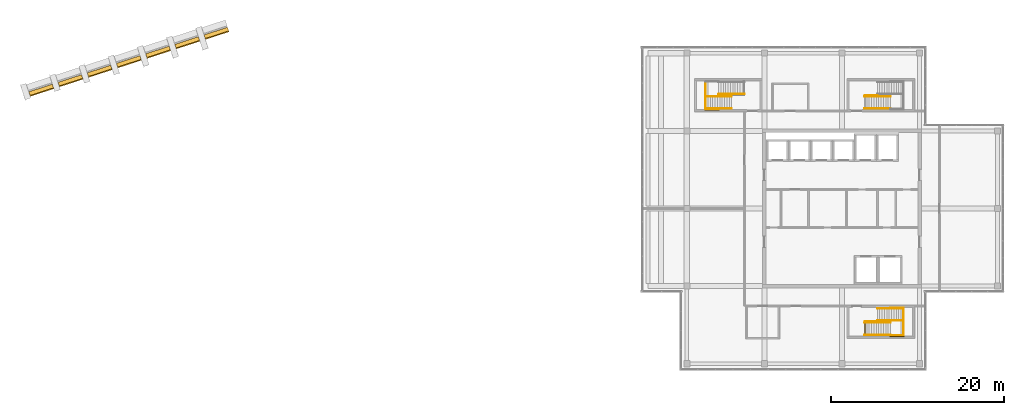
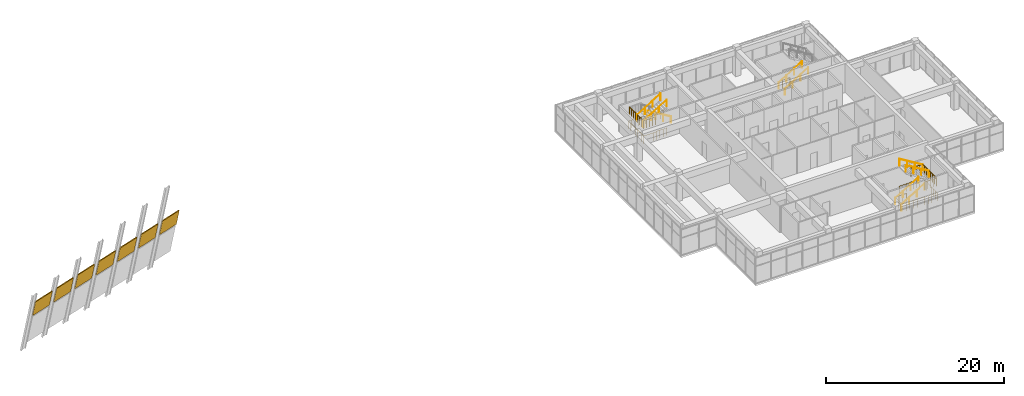
# One storey, part 31 of 32: 18 railings, 7 coverings.
"""IFC4 building model written with IfcOpenShell, lengths in metres."""

import ifcopenshell
import ifcopenshell.guid

model = None  # the IFC model being written
_history = None  # IfcOwnerHistory: only IFC2X3 demands one
_inside = {}  # id of a spatial element -> (the spatial element, [elements in it])
_under = {}  # id of a project, library or spatial element -> (it, [spatial elements below it])
_declared = {}  # id of a project -> (the project, [libraries it declares])
_typed = {}  # id of a type object -> (the type object, [elements of that type])
_made_of = {}  # id of a material, layer set ... -> (it, [elements and type objects made of it])


def new_model(schema):
    """Start an empty IFC model of exactly this schema.

    Asked for "IFC4X3", IfcOpenShell would pick the latest addendum, in which some entities
    have other attributes; the version numbers below select the first issue.
    IFC2X3 requires an IfcOwnerHistory on every rooted entity: one is made here for all.
    """
    global model, _history
    if schema == "IFC4X3":
        model = ifcopenshell.file(schema_version=(4, 3, 0, 0))
    else:
        model = ifcopenshell.file(schema=schema)
    _inside.clear()
    _under.clear()
    _declared.clear()
    _typed.clear()
    _made_of.clear()
    _history = None
    if model.schema == "IFC2X3":
        org = make("IfcOrganization", Name="unknown")
        user = make(
            "IfcPersonAndOrganization",
            ThePerson=make("IfcPerson", FamilyName="unknown"),
            TheOrganization=org,
        )
        app = make(
            "IfcApplication",
            ApplicationDeveloper=org,
            Version="unknown",
            ApplicationFullName="unknown",
            ApplicationIdentifier="unknown",
        )
        _history = make(
            "IfcOwnerHistory",
            OwningUser=user,
            OwningApplication=app,
            ChangeAction="ADDED",
            CreationDate=0,
        )
    return model


def make(cls, **values):
    """One entity of the class cls with the attributes given. An attribute that is None is left unset."""
    return model.create_entity(
        cls, **{name: value for name, value in values.items() if value is not None}
    )


def rooted(cls, **values):
    """An entity with a GlobalId (a new one), such as an element, a storey or a relation."""
    return make(cls, GlobalId=ifcopenshell.guid.new(), OwnerHistory=_history, **values)


def si_unit(unit_type, name, prefix=None):
    """IfcSIUnit, for example si_unit("LENGTHUNIT", "METRE", prefix="MILLI")."""
    return make("IfcSIUnit", UnitType=unit_type, Prefix=prefix, Name=name)


def assignment(units):
    """IfcUnitAssignment: the units of a project."""
    return None if units is None else make("IfcUnitAssignment", Units=units)


def point(xyz):
    """IfcCartesianPoint."""
    return None if xyz is None else make("IfcCartesianPoint", Coordinates=xyz)


def direction(xyz):
    """IfcDirection."""
    return None if xyz is None else make("IfcDirection", DirectionRatios=xyz)


def frame(location, z_axis=None, x_axis=None):
    """IfcAxis2Placement3D, a coordinate frame: its origin and axes. An axis left out is left unset."""
    return make(
        "IfcAxis2Placement3D",
        Location=point(location),
        Axis=direction(z_axis),
        RefDirection=direction(x_axis),
    )


def frame_2d(location, x_axis=None):
    """IfcAxis2Placement2D, a coordinate frame in the plane: its origin and x axis."""
    return make(
        "IfcAxis2Placement2D", Location=point(location), RefDirection=direction(x_axis)
    )


def origin():
    """The frame at (0, 0, 0) with its axes left unset."""
    return frame((0.0, 0.0, 0.0))


def origin_2d():
    """The frame at (0, 0) in the plane with its x axis left unset."""
    return frame_2d((0.0, 0.0))


def place(relative_to, where):
    """IfcLocalPlacement: puts the frame where relative to a parent placement (None: the world)."""
    return make(
        "IfcLocalPlacement", PlacementRelTo=relative_to, RelativePlacement=where
    )


def context(
    kind, dimensions, precision=None, world=None, true_north=None, identifier=None
):
    """IfcGeometricRepresentationContext, for example the 3D "Model" context."""
    return make(
        "IfcGeometricRepresentationContext",
        ContextIdentifier=identifier,
        ContextType=kind,
        CoordinateSpaceDimension=dimensions,
        Precision=precision,
        WorldCoordinateSystem=world,
        TrueNorth=true_north,
    )


def subcontext(parent, identifier, kind, view, scale=None):
    """IfcGeometricRepresentationSubContext, for example "Body" below "Model"."""
    return make(
        "IfcGeometricRepresentationSubContext",
        ContextIdentifier=identifier,
        ContextType=kind,
        ParentContext=parent,
        TargetScale=scale,
        TargetView=view,
    )


def project(units=None, contexts=None):
    """IfcProject with its units and contexts."""
    return rooted(
        "IfcProject",
        Name="project",
        RepresentationContexts=contexts,
        UnitsInContext=assignment(units),
    )


def spatial(cls, under=None, at=None, **own):
    """A site, building, storey or space (cls), placed at a placement, below another one or the project."""
    s = rooted(cls, ObjectPlacement=at, **own)
    if under is not None:
        _under.setdefault(under.id(), (under, []))[1].append(s)
    return s


def polyline(points):
    """IfcPolyline through the points."""
    return make("IfcPolyline", Points=[point(p) for p in points])


def profile(cls, at=None, kind="AREA", **sizes):
    """A parametric profile (cls). Its sizes go by their IFC names, for example OverallWidth=200.0."""
    return make(cls, ProfileType=kind, Position=at, **sizes)


def circle(**sizes):
    """IfcCircleProfileDef."""
    return profile("IfcCircleProfileDef", **sizes)


def outline(outer, holes=None, kind="AREA"):
    """IfcArbitraryClosedProfileDef: a profile drawn as a closed curve; with holes, ...WithVoids."""
    if holes is None:
        return make("IfcArbitraryClosedProfileDef", ProfileType=kind, OuterCurve=outer)
    return make(
        "IfcArbitraryProfileDefWithVoids",
        ProfileType=kind,
        OuterCurve=outer,
        InnerCurves=holes,
    )


def extrude(swept, where, along, depth):
    """IfcExtrudedAreaSolid: the profile swept, set in the frame where, extruded along a direction by depth."""
    return make(
        "IfcExtrudedAreaSolid",
        SweptArea=swept,
        Position=where,
        ExtrudedDirection=direction(along),
        Depth=depth,
    )


def shape(context_of_items, identifier, shape_type, items):
    """IfcShapeRepresentation: the items that make up one representation, for example the "Body"."""
    return make(
        "IfcShapeRepresentation",
        ContextOfItems=context_of_items,
        RepresentationIdentifier=identifier,
        RepresentationType=shape_type,
        Items=items,
    )


def material(Name=None, Category=None):
    """IfcMaterial."""
    return make("IfcMaterial", Name=Name, Category=Category)


def layer(
    of_material, thickness, ventilated=None, Name=None, Category=None, Priority=None
):
    """IfcMaterialLayer: one layer of a wall or slab, of a material (None: an air gap)."""
    return make(
        "IfcMaterialLayer",
        Material=of_material,
        LayerThickness=thickness,
        IsVentilated=ventilated,
        Name=Name,
        Category=Category,
        Priority=Priority,
    )


def layer_set(layers, Name=None):
    """IfcMaterialLayerSet."""
    return make("IfcMaterialLayerSet", MaterialLayers=layers, LayerSetName=Name)


def made_of(thing, what):
    """Note that an element or type object is made of a material, layer set ...; save() writes the relation."""
    if what is not None:
        _made_of.setdefault(what.id(), (what, []))[1].append(thing)
    return thing


def type_object(cls, material=None, **own):
    """A type object (cls), such as IfcWallType, which elements share."""
    return made_of(rooted(cls, **own), material)


def element(
    cls,
    number,
    at=None,
    inside=None,
    cuts=None,
    type_object=None,
    material=None,
    context=None,
    identifier="Body",
    shape_type=None,
    held_by="IfcProductDefinitionShape",
    body=None,
    shapes=None,
    **own,
):
    """One element of the class cls, such as IfcWall. Its Tag is "e" and its number.

    at: its placement. inside: the storey or other place that contains it. cuts: it is an
    opening in that element (IfcRelVoidsElement). A single representation is given by context,
    identifier, shape_type and body (its items); several are given by shapes. held_by: the class
    of the entity that holds the representations. save() writes the other relations.
    """
    e = rooted(cls, Tag="e%d" % number, ObjectPlacement=at, **own)
    if body is not None:
        shapes = [shape(context, identifier, shape_type, body)]
    if shapes is not None:
        e.Representation = make(held_by, Representations=shapes)
    if inside is not None:
        _inside.setdefault(inside.id(), (inside, []))[1].append(e)
    if cuts is not None:
        rooted(
            "IfcRelVoidsElement", RelatingBuildingElement=cuts, RelatedOpeningElement=e
        )
    if type_object is not None:
        _typed.setdefault(type_object.id(), (type_object, []))[1].append(e)
    return made_of(e, material)


def aggregate(whole, parts):
    """IfcRelAggregates: a whole, such as a stair, and the parts it consists of."""
    return rooted("IfcRelAggregates", RelatingObject=whole, RelatedObjects=parts)


def save(model, path):
    """Write the relations noted so far, then the file.

    IfcRelAggregates (storeys below a building ...), IfcRelContainedInSpatialStructure (elements
    in a storey), IfcRelDefinesByType, IfcRelAssociatesMaterial and IfcRelDeclares: one each for
    every whole, place, type object, material and project.
    """
    for whole, parts in _under.values():
        aggregate(whole, parts)
    for where, things in _inside.values():
        rooted(
            "IfcRelContainedInSpatialStructure",
            RelatedElements=things,
            RelatingStructure=where,
        )
    for kind, things in _typed.values():
        rooted("IfcRelDefinesByType", RelatedObjects=things, RelatingType=kind)
    for what, things in _made_of.values():
        rooted("IfcRelAssociatesMaterial", RelatedObjects=things, RelatingMaterial=what)
    for by, libraries in _declared.values():
        rooted("IfcRelDeclares", RelatingContext=by, RelatedDefinitions=libraries)
    model.write(path)


model = new_model("IFC4")

# Units and contexts
model_context = context("Model", 3, precision=1e-05, world=origin(), true_north=direction((0.0, 1.0)))
body_context = subcontext(model_context, "Body", "Model", "MODEL_VIEW")
ifc_project = project(units=[si_unit("LENGTHUNIT", "METRE"), si_unit("AREAUNIT", "SQUARE_METRE"), si_unit("VOLUMEUNIT", "CUBIC_METRE"), si_unit("PLANEANGLEUNIT", "RADIAN"), si_unit("MASSUNIT", "GRAM", prefix="KILO")], contexts=[model_context])

# Site, building, storey
site_placement = place(None, origin())
site = spatial("IfcSite", under=ifc_project, at=site_placement, CompositionType="ELEMENT")
building_placement = place(site_placement, origin())
building = spatial("IfcBuilding", under=site, at=building_placement, Name="Tuart Plaza Theatre", CompositionType="ELEMENT")
storey_placement = place(building_placement, frame((0.0, 0.0, 37.5)))
storey = spatial("IfcBuildingStorey", under=building, at=storey_placement, Name="L09", CompositionType="ELEMENT", Elevation=37.5)

# Coverings
ifc_material_1 = material(Name="Zinc")
ifc_layer = layer(ifc_material_1, 0.1201171875)
ifc_layer_set = layer_set([ifc_layer], Name="COVERING-ZINC-SIGN-PANEL120")
covering_type = type_object("IfcCoveringType", Name="COVERING-ZINC-SIGN-PANEL120", PredefinedType="CLADDING", material=ifc_layer_set)
covering_1_placement = place(storey_placement, frame((37.71728515625, 87.523681640625, 2.60791015625), z_axis=(-0.302260554201, 0.930276442668, 0.207904539611), x_axis=(0.95105843581, 0.309011086543, 8.251628e-06)))
element("IfcCovering", 1, at=covering_1_placement, inside=storey, type_object=covering_type, Name="Theatre Sign Panel", PredefinedType="CLADDING", context=body_context, shape_type="SweptSolid", body=[
    extrude(outline(polyline([(0.0, 0.0), (2.8611881030055724, 0.0), (2.8611941071663454, -2.1439924801278485), (-6.943799902742362e-05, -2.1440407545078246), (0.0, 0.0)])), origin(), (0.0, 0.0, -1.0), 0.1201171875),
])
covering_2_placement = place(storey_placement, frame((41.104248046875, 88.6240234375, 2.60791015625), z_axis=(-0.302285084932, 0.93026847206, 0.207904538956), x_axis=(0.951049203003, 0.309039501358, -8.252009e-06)))
element("IfcCovering", 2, at=covering_2_placement, inside=storey, type_object=covering_type, Name="Theatre Sign Panel", PredefinedType="CLADDING", context=body_context, shape_type="SweptSolid", body=[
    extrude(outline(polyline([(0.0, 0.0), (2.861031357760041, 2.7755575615628914e-17), (2.8609139876122804, -2.144040752419736), (-4.1921050749480445e-05, -2.14399247972647), (0.0, 0.0)])), origin(), (0.0, 0.0, -1.0), 0.1201171875),
])
covering_3_placement = place(storey_placement, frame((44.490966796875, 89.724609375, 2.60791015625), z_axis=(-0.302260554201, 0.930276442668, 0.207904539611), x_axis=(0.95105843581, 0.309011086543, 8.251628e-06)))
element("IfcCovering", 3, at=covering_3_placement, inside=storey, type_object=covering_type, Name="Theatre Sign Panel", PredefinedType="CLADDING", context=body_context, shape_type="SweptSolid", body=[
    extrude(outline(polyline([(0.0, 0.0), (2.8611881030055724, 0.0), (2.8611941071663454, -2.1439924801278485), (-6.943799902742362e-05, -2.1440407545078246), (0.0, 0.0)])), origin(), (0.0, 0.0, -1.0), 0.1201171875),
])
covering_4_placement = place(storey_placement, frame((47.877685546875, 90.824951171875, 2.60791015625), z_axis=(-0.302258342809, 0.9302696366, 0.207938205779), x_axis=(0.951058435986, 0.309011086003, 8.252904e-06)))
element("IfcCovering", 4, at=covering_4_placement, inside=storey, type_object=covering_type, Name="Theatre Sign Panel", PredefinedType="CLADDING", context=body_context, shape_type="SweptSolid", body=[
    extrude(outline(polyline([(0.0, 0.0), (2.861188103005605, 2.7755575615628914e-17), (2.8614263020960933, -2.1440081603823584), (0.00016275693081914755, -2.144056442579448), (0.0, 0.0)])), origin(), (0.0, 0.0, -1.0), 0.1201171875),
])
covering_5_placement = place(storey_placement, frame((51.2646484375, 91.92529296875, 2.60791015625), z_axis=(-0.302260554201, 0.930276442668, 0.207904539611), x_axis=(0.951057351885, 0.309014422572, -8.25141e-06)))
element("IfcCovering", 5, at=covering_5_placement, inside=storey, type_object=covering_type, Name="Theatre Sign Panel", PredefinedType="CLADDING", context=body_context, shape_type="SweptSolid", body=[
    extrude(outline(polyline([(0.0, 0.0), (2.8612635455726076, -2.7755575615628914e-17), (2.8611579339613313, -2.144040753031133), (-3.0168637015551432e-05, -2.143992479924001), (0.0, 0.0)])), origin(), (0.0, 0.0, -1.0), 0.1201171875),
])
covering_6_placement = place(storey_placement, frame((54.651611328125, 93.02587890625, 2.60791015625), z_axis=(-0.302285084932, 0.93026847206, 0.207904538956), x_axis=(0.951050287095, 0.309036165116, 8.252227e-06)))
element("IfcCovering", 6, at=covering_6_placement, inside=storey, type_object=covering_type, Name="Theatre Sign Panel", PredefinedType="CLADDING", context=body_context, shape_type="SweptSolid", body=[
    extrude(outline(polyline([(0.0, 0.0), (2.8609559090702805, -2.7755575615628914e-17), (2.8609501634429364, -2.1439924801286083), (-8.119390984312644e-05, -2.1440407540949136), (0.0, 0.0)])), origin(), (0.0, 0.0, -1.0), 0.1201171875),
])
covering_7_placement = place(storey_placement, frame((58.038330078125, 94.126220703125, 2.60791015625), z_axis=(-0.302260554201, 0.930276442668, 0.207904539611), x_axis=(0.951057351885, 0.309014422572, -8.25141e-06)))
element("IfcCovering", 7, at=covering_7_placement, inside=storey, type_object=covering_type, Name="Theatre Sign Panel", PredefinedType="CLADDING", context=body_context, shape_type="SweptSolid", body=[
    extrude(outline(polyline([(0.0, 0.0), (2.8612635455726076, -2.7755575615628914e-17), (2.8611579339613313, -2.144040753031133), (-3.0168637015551432e-05, -2.143992479924001), (0.0, 0.0)])), origin(), (0.0, 0.0, -1.0), 0.1201171875),
])

# Railings
ifc_material_2 = material(Name="Steel Grade C350L0", Category="steel")
railing_type_1 = type_object("IfcRailingType", Name="RAILING Guard 1100", PredefinedType="GUARDRAIL", material=ifc_material_2)
railing_1_placement = place(storey_placement, frame((134.655029296875, 60.875, 0.0)))
element("IfcRailing", 8, at=railing_1_placement, inside=storey, type_object=railing_type_1, Name="GR239", PredefinedType="GUARDRAIL", context=body_context, shape_type="SweptSolid", body=[
    extrude(circle(Radius=0.02490234375, at=origin_2d()), frame((0.0, 0.0, 1.0751953125), z_axis=(1.0, 0.0, 0.0), x_axis=(0.0, 1.0, 0.0)), (0.0, 0.0, 1.0), 1.455078125),
    extrude(circle(Radius=0.02001953125, at=origin_2d()), origin(), (0.0, 0.0, 1.0), 1.050048828125),
    extrude(circle(Radius=0.02001953125, at=origin_2d()), frame((0.485107421875, 0.0, 0.0)), (0.0, 0.0, 1.0), 1.050048828125),
    extrude(circle(Radius=0.02001953125, at=origin_2d()), frame((0.969970703125, 0.0, 0.0)), (0.0, 0.0, 1.0), 1.050048828125),
    extrude(circle(Radius=0.02001953125, at=origin_2d()), frame((1.455078125, 0.0, 0.0)), (0.0, 0.0, 1.0), 1.050048828125),
])
railing_2_placement = place(storey_placement, frame((136.114990234375, 62.455078125, 0.0)))
element("IfcRailing", 9, at=railing_2_placement, inside=storey, type_object=railing_type_1, Name="GR240", PredefinedType="GUARDRAIL", context=body_context, shape_type="SweptSolid", body=[
    extrude(circle(Radius=0.02490234375, at=origin_2d()), frame((0.0, 0.0, 1.0751953125), z_axis=(0.0, 1.0, 0.0), x_axis=(-1.0, 0.0, 0.0)), (0.0, 0.0, 1.0), 0.044921875),
    extrude(circle(Radius=0.02490234375, at=origin_2d()), frame((0.0, 0.044921875, 1.0751953125), z_axis=(1.0, 0.0, 0.0), x_axis=(0.0, 1.0, 0.0)), (0.0, 0.0, 1.0), 1.43505859375),
    extrude(circle(Radius=0.02490234375, at=origin_2d()), frame((1.43505859375, 0.044921875, 1.0751953125), z_axis=(0.0, 1.0, 0.0), x_axis=(-1.0, 0.0, 0.0)), (0.0, 0.0, 1.0), 0.074951171875),
    extrude(circle(Radius=0.02490234375, at=origin_2d()), frame((1.43505859375, 0.119873046875, 1.0751953125), z_axis=(1.0, 0.0, 0.0), x_axis=(0.0, 1.0, 0.0)), (0.0, 0.0, 1.0), 1.6298828125),
    extrude(circle(Radius=0.02490234375, at=origin_2d()), frame((3.06494140625, 0.119873046875, 1.0751953125), z_axis=(0.0, -1.0, 0.0), x_axis=(1.0, 0.0, 0.0)), (0.0, 0.0, 1.0), 3.39990234375),
    extrude(circle(Radius=0.02490234375, at=origin_2d()), frame((3.06494140625, -3.280029296875, 1.0751953125), z_axis=(-1.0, 0.0, 0.0), x_axis=(0.0, -1.0, 0.0)), (0.0, 0.0, 1.0), 1.6298828125),
    extrude(circle(Radius=0.02490234375, at=origin_2d()), frame((1.43505859375, -3.280029296875, 1.0751953125), z_axis=(0.0, 1.0, 0.0), x_axis=(-1.0, 0.0, 0.0)), (0.0, 0.0, 1.0), 0.074951171875),
    extrude(circle(Radius=0.02490234375, at=origin_2d()), frame((1.43505859375, -3.205078125, 1.0751953125), z_axis=(-1.0, 0.0, 0.0), x_axis=(0.0, -1.0, 0.0)), (0.0, 0.0, 1.0), 2.89501953125),
    extrude(circle(Radius=0.02490234375, at=origin_2d()), frame((-1.4599609375, -3.205078125, 1.0751953125), z_axis=(0.0, 1.0, 0.0), x_axis=(-1.0, 0.0, 0.0)), (0.0, 0.0, 1.0), 1.625),
    extrude(circle(Radius=0.02001953125, at=origin_2d()), origin(), (0.0, 0.0, 1.0), 1.050048828125),
    extrude(circle(Radius=0.02001953125, at=origin_2d()), frame((0.0, 0.044921875, 0.0)), (0.0, 0.0, 1.0), 1.050048828125),
    extrude(circle(Radius=0.02001953125, at=origin_2d()), frame((0.478271484375, 0.044921875, 0.0)), (0.0, 0.0, 1.0), 1.050048828125),
    extrude(circle(Radius=0.02001953125, at=origin_2d()), frame((0.956787109375, 0.044921875, 0.0)), (0.0, 0.0, 1.0), 1.050048828125),
    extrude(circle(Radius=0.02001953125, at=origin_2d()), frame((1.43505859375, 0.044921875, 0.0)), (0.0, 0.0, 1.0), 1.050048828125),
    extrude(circle(Radius=0.02001953125, at=origin_2d()), frame((1.43505859375, 0.119873046875, 0.0)), (0.0, 0.0, 1.0), 1.050048828125),
    extrude(circle(Radius=0.02001953125, at=origin_2d()), frame((1.842529296875, 0.119873046875, 0.0)), (0.0, 0.0, 1.0), 1.050048828125),
    extrude(circle(Radius=0.02001953125, at=origin_2d()), frame((2.25, 0.119873046875, 0.0)), (0.0, 0.0, 1.0), 1.050048828125),
    extrude(circle(Radius=0.02001953125, at=origin_2d()), frame((2.657470703125, 0.119873046875, 0.0)), (0.0, 0.0, 1.0), 1.050048828125),
    extrude(circle(Radius=0.02001953125, at=origin_2d()), frame((3.06494140625, 0.119873046875, 0.0)), (0.0, 0.0, 1.0), 1.050048828125),
    extrude(circle(Radius=0.02001953125, at=origin_2d()), frame((3.06494140625, -0.36572265625, 0.0)), (0.0, 0.0, 1.0), 1.050048828125),
    extrude(circle(Radius=0.02001953125, at=origin_2d()), frame((3.06494140625, -0.8515625, 0.0)), (0.0, 0.0, 1.0), 1.050048828125),
    extrude(circle(Radius=0.02001953125, at=origin_2d()), frame((3.06494140625, -1.337158203125, 0.0)), (0.0, 0.0, 1.0), 1.050048828125),
    extrude(circle(Radius=0.02001953125, at=origin_2d()), frame((3.06494140625, -1.822998046875, 0.0)), (0.0, 0.0, 1.0), 1.050048828125),
    extrude(circle(Radius=0.02001953125, at=origin_2d()), frame((3.06494140625, -2.30859375, 0.0)), (0.0, 0.0, 1.0), 1.050048828125),
    extrude(circle(Radius=0.02001953125, at=origin_2d()), frame((3.06494140625, -2.79443359375, 0.0)), (0.0, 0.0, 1.0), 1.050048828125),
    extrude(circle(Radius=0.02001953125, at=origin_2d()), frame((3.06494140625, -3.280029296875, 0.0)), (0.0, 0.0, 1.0), 1.050048828125),
    extrude(circle(Radius=0.02001953125, at=origin_2d()), frame((2.657470703125, -3.280029296875, 0.0)), (0.0, 0.0, 1.0), 1.050048828125),
    extrude(circle(Radius=0.02001953125, at=origin_2d()), frame((2.25, -3.280029296875, 0.0)), (0.0, 0.0, 1.0), 1.050048828125),
    extrude(circle(Radius=0.02001953125, at=origin_2d()), frame((1.842529296875, -3.280029296875, 0.0)), (0.0, 0.0, 1.0), 1.050048828125),
    extrude(circle(Radius=0.02001953125, at=origin_2d()), frame((1.43505859375, -3.280029296875, 0.0)), (0.0, 0.0, 1.0), 1.050048828125),
    extrude(circle(Radius=0.02001953125, at=origin_2d()), frame((1.43505859375, -3.205078125, 0.0)), (0.0, 0.0, 1.0), 1.050048828125),
    extrude(circle(Radius=0.02001953125, at=origin_2d()), frame((0.95263671875, -3.205078125, 0.0)), (0.0, 0.0, 1.0), 1.050048828125),
    extrude(circle(Radius=0.02001953125, at=origin_2d()), frame((0.469970703125, -3.205078125, 0.0)), (0.0, 0.0, 1.0), 1.050048828125),
    extrude(circle(Radius=0.02001953125, at=origin_2d()), frame((-0.012451171875, -3.205078125, 0.0)), (0.0, 0.0, 1.0), 1.050048828125),
    extrude(circle(Radius=0.02001953125, at=origin_2d()), frame((-0.494873046875, -3.205078125, 0.0)), (0.0, 0.0, 1.0), 1.050048828125),
    extrude(circle(Radius=0.02001953125, at=origin_2d()), frame((-0.9775390625, -3.205078125, 0.0)), (0.0, 0.0, 1.0), 1.050048828125),
    extrude(circle(Radius=0.02001953125, at=origin_2d()), frame((-1.4599609375, -3.205078125, 0.0)), (0.0, 0.0, 1.0), 1.050048828125),
    extrude(circle(Radius=0.02001953125, at=origin_2d()), frame((-1.4599609375, -2.798828125, 0.0)), (0.0, 0.0, 1.0), 1.050048828125),
    extrude(circle(Radius=0.02001953125, at=origin_2d()), frame((-1.4599609375, -2.392578125, 0.0)), (0.0, 0.0, 1.0), 1.050048828125),
    extrude(circle(Radius=0.02001953125, at=origin_2d()), frame((-1.4599609375, -1.986328125, 0.0)), (0.0, 0.0, 1.0), 1.050048828125),
    extrude(circle(Radius=0.02001953125, at=origin_2d()), frame((-1.4599609375, -1.580078125, 0.0)), (0.0, 0.0, 1.0), 1.050048828125),
])
railing_3_placement = place(storey_placement, frame((137.60009765625, 59.300048828125, 2.0)))
element("IfcRailing", 10, at=railing_3_placement, inside=storey, type_object=railing_type_1, Name="GR246", PredefinedType="GUARDRAIL", context=body_context, shape_type="SweptSolid", body=[
    extrude(circle(Radius=0.02490234375, at=origin_2d()), frame((0.0, 0.0, 1.0751953125), z_axis=(1.0, 0.0, 0.0), x_axis=(0.0, 1.0, 0.0)), (0.0, 0.0, 1.0), 1.52978515625),
    extrude(circle(Radius=0.02001953125, at=origin_2d()), origin(), (0.0, 0.0, 1.0), 1.050048828125),
    extrude(circle(Radius=0.02001953125, at=origin_2d()), frame((0.38232421875, 0.0, 0.0)), (0.0, 0.0, 1.0), 1.050048828125),
    extrude(circle(Radius=0.02001953125, at=origin_2d()), frame((0.764892578125, 0.0, 0.0)), (0.0, 0.0, 1.0), 1.050048828125),
    extrude(circle(Radius=0.02001953125, at=origin_2d()), frame((1.1474609375, 0.0, 0.0)), (0.0, 0.0, 1.0), 1.050048828125),
    extrude(circle(Radius=0.02001953125, at=origin_2d()), frame((1.52978515625, 0.0, 0.0)), (0.0, 0.0, 1.0), 1.050048828125),
])
railing_4_placement = place(storey_placement, frame((139.1298828125, 59.300048828125, 2.0)))
element("IfcRailing", 11, at=railing_4_placement, inside=storey, type_object=railing_type_1, Name="GR247", PredefinedType="GUARDRAIL", context=body_context, shape_type="SweptSolid", body=[
    extrude(circle(Radius=0.02490234375, at=origin_2d()), frame((0.0, 0.0, 1.0751953125), z_axis=(0.0, 1.0, 0.0), x_axis=(-1.0, 0.0, 0.0)), (0.0, 0.0, 1.0), 3.14990234375),
    extrude(circle(Radius=0.02001953125, at=origin_2d()), origin(), (0.0, 0.0, 1.0), 1.050048828125),
    extrude(circle(Radius=0.02001953125, at=origin_2d()), frame((0.0, 0.449951171875, 0.0)), (0.0, 0.0, 1.0), 1.050048828125),
    extrude(circle(Radius=0.02001953125, at=origin_2d()), frame((0.0, 0.89990234375, 0.0)), (0.0, 0.0, 1.0), 1.050048828125),
    extrude(circle(Radius=0.02001953125, at=origin_2d()), frame((0.0, 1.349853515625, 0.0)), (0.0, 0.0, 1.0), 1.050048828125),
    extrude(circle(Radius=0.02001953125, at=origin_2d()), frame((0.0, 1.800048828125, 0.0)), (0.0, 0.0, 1.0), 1.050048828125),
    extrude(circle(Radius=0.02001953125, at=origin_2d()), frame((0.0, 2.25, 0.0)), (0.0, 0.0, 1.0), 1.050048828125),
    extrude(circle(Radius=0.02001953125, at=origin_2d()), frame((0.0, 2.699951171875, 0.0)), (0.0, 0.0, 1.0), 1.050048828125),
    extrude(circle(Radius=0.02001953125, at=origin_2d()), frame((0.0, 3.14990234375, 0.0)), (0.0, 0.0, 1.0), 1.050048828125),
])
railing_5_placement = place(storey_placement, frame((139.1298828125, 62.449951171875, 2.0)))
element("IfcRailing", 12, at=railing_5_placement, inside=storey, type_object=railing_type_1, Name="GR248", PredefinedType="GUARDRAIL", context=body_context, shape_type="SweptSolid", body=[
    extrude(circle(Radius=0.02490234375, at=origin_2d()), frame((0.0, 0.0, 1.0751953125), z_axis=(-1.0, 0.0, 0.0), x_axis=(0.0, -1.0, 0.0)), (0.0, 0.0, 1.0), 1.52978515625),
    extrude(circle(Radius=0.02001953125, at=origin_2d()), origin(), (0.0, 0.0, 1.0), 1.050048828125),
    extrude(circle(Radius=0.02001953125, at=origin_2d()), frame((-0.38232421875, 0.0, 0.0)), (0.0, 0.0, 1.0), 1.050048828125),
    extrude(circle(Radius=0.02001953125, at=origin_2d()), frame((-0.764892578125, 0.0, 0.0)), (0.0, 0.0, 1.0), 1.050048828125),
    extrude(circle(Radius=0.02001953125, at=origin_2d()), frame((-1.1474609375, 0.0, 0.0)), (0.0, 0.0, 1.0), 1.050048828125),
    extrude(circle(Radius=0.02001953125, at=origin_2d()), frame((-1.52978515625, 0.0, 0.0)), (0.0, 0.0, 1.0), 1.050048828125),
])
railing_6_placement = place(storey_placement, frame((134.655029296875, 87.125, 0.0)))
element("IfcRailing", 13, at=railing_6_placement, inside=storey, type_object=railing_type_1, Name="GR318", PredefinedType="GUARDRAIL", context=body_context, shape_type="SweptSolid", body=[
    extrude(circle(Radius=0.02490234375, at=origin_2d()), frame((0.0, 0.0, 1.0751953125), z_axis=(1.0, 0.0, 0.0), x_axis=(0.0, 1.0, 0.0)), (0.0, 0.0, 1.0), 1.455078125),
    extrude(circle(Radius=0.02001953125, at=origin_2d()), origin(), (0.0, 0.0, 1.0), 1.050048828125),
    extrude(circle(Radius=0.02001953125, at=origin_2d()), frame((0.485107421875, 0.0, 0.0)), (0.0, 0.0, 1.0), 1.050048828125),
    extrude(circle(Radius=0.02001953125, at=origin_2d()), frame((0.969970703125, 0.0, 0.0)), (0.0, 0.0, 1.0), 1.050048828125),
    extrude(circle(Radius=0.02001953125, at=origin_2d()), frame((1.455078125, 0.0, 0.0)), (0.0, 0.0, 1.0), 1.050048828125),
])
railing_7_placement = place(storey_placement, frame((119.18505859375, 85.544921875, 0.0)))
element("IfcRailing", 14, at=railing_7_placement, inside=storey, type_object=railing_type_1, Name="GR398", PredefinedType="GUARDRAIL", context=body_context, shape_type="SweptSolid", body=[
    extrude(circle(Radius=0.02490234375, at=origin_2d()), frame((0.0, 0.0, 1.0751953125), z_axis=(0.0, -1.0, 0.0), x_axis=(1.0, 0.0, 0.0)), (0.0, 0.0, 1.0), 0.044921875),
    extrude(circle(Radius=0.02490234375, at=origin_2d()), frame((0.0, -0.044921875, 1.0751953125), z_axis=(-1.0, 0.0, 0.0), x_axis=(0.0, -1.0, 0.0)), (0.0, 0.0, 1.0), 1.43505859375),
    extrude(circle(Radius=0.02490234375, at=origin_2d()), frame((-1.43505859375, -0.044921875, 1.0751953125), z_axis=(0.0, -1.0, 0.0), x_axis=(1.0, 0.0, 0.0)), (0.0, 0.0, 1.0), 0.074951171875),
    extrude(circle(Radius=0.02490234375, at=origin_2d()), frame((-1.43505859375, -0.119873046875, 1.0751953125), z_axis=(-1.0, 0.0, 0.0), x_axis=(0.0, -1.0, 0.0)), (0.0, 0.0, 1.0), 1.6298828125),
    extrude(circle(Radius=0.02490234375, at=origin_2d()), frame((-3.06494140625, -0.119873046875, 1.0751953125), z_axis=(0.0, 1.0, 0.0), x_axis=(-1.0, 0.0, 0.0)), (0.0, 0.0, 1.0), 3.39990234375),
    extrude(circle(Radius=0.02490234375, at=origin_2d()), frame((-3.06494140625, 3.280029296875, 1.0751953125), z_axis=(1.0, 0.0, 0.0), x_axis=(0.0, 1.0, 0.0)), (0.0, 0.0, 1.0), 1.6298828125),
    extrude(circle(Radius=0.02490234375, at=origin_2d()), frame((-1.43505859375, 3.280029296875, 1.0751953125), z_axis=(0.0, -1.0, 0.0), x_axis=(1.0, 0.0, 0.0)), (0.0, 0.0, 1.0), 0.074951171875),
    extrude(circle(Radius=0.02490234375, at=origin_2d()), frame((-1.43505859375, 3.205078125, 1.0751953125), z_axis=(1.0, 0.0, 0.0), x_axis=(0.0, 1.0, 0.0)), (0.0, 0.0, 1.0), 2.89501953125),
    extrude(circle(Radius=0.02001953125, at=origin_2d()), origin(), (0.0, 0.0, 1.0), 1.050048828125),
    extrude(circle(Radius=0.02001953125, at=origin_2d()), frame((0.0, -0.044921875, 0.0)), (0.0, 0.0, 1.0), 1.050048828125),
    extrude(circle(Radius=0.02001953125, at=origin_2d()), frame((-0.478271484375, -0.044921875, 0.0)), (0.0, 0.0, 1.0), 1.050048828125),
    extrude(circle(Radius=0.02001953125, at=origin_2d()), frame((-0.956787109375, -0.044921875, 0.0)), (0.0, 0.0, 1.0), 1.050048828125),
    extrude(circle(Radius=0.02001953125, at=origin_2d()), frame((-1.43505859375, -0.044921875, 0.0)), (0.0, 0.0, 1.0), 1.050048828125),
    extrude(circle(Radius=0.02001953125, at=origin_2d()), frame((-1.43505859375, -0.119873046875, 0.0)), (0.0, 0.0, 1.0), 1.050048828125),
    extrude(circle(Radius=0.02001953125, at=origin_2d()), frame((-1.842529296875, -0.119873046875, 0.0)), (0.0, 0.0, 1.0), 1.050048828125),
    extrude(circle(Radius=0.02001953125, at=origin_2d()), frame((-2.25, -0.119873046875, 0.0)), (0.0, 0.0, 1.0), 1.050048828125),
    extrude(circle(Radius=0.02001953125, at=origin_2d()), frame((-2.657470703125, -0.119873046875, 0.0)), (0.0, 0.0, 1.0), 1.050048828125),
    extrude(circle(Radius=0.02001953125, at=origin_2d()), frame((-3.06494140625, -0.119873046875, 0.0)), (0.0, 0.0, 1.0), 1.050048828125),
    extrude(circle(Radius=0.02001953125, at=origin_2d()), frame((-3.06494140625, 0.36572265625, 0.0)), (0.0, 0.0, 1.0), 1.050048828125),
    extrude(circle(Radius=0.02001953125, at=origin_2d()), frame((-3.06494140625, 0.8515625, 0.0)), (0.0, 0.0, 1.0), 1.050048828125),
    extrude(circle(Radius=0.02001953125, at=origin_2d()), frame((-3.06494140625, 1.337158203125, 0.0)), (0.0, 0.0, 1.0), 1.050048828125),
    extrude(circle(Radius=0.02001953125, at=origin_2d()), frame((-3.06494140625, 1.822998046875, 0.0)), (0.0, 0.0, 1.0), 1.050048828125),
    extrude(circle(Radius=0.02001953125, at=origin_2d()), frame((-3.06494140625, 2.30859375, 0.0)), (0.0, 0.0, 1.0), 1.050048828125),
    extrude(circle(Radius=0.02001953125, at=origin_2d()), frame((-3.06494140625, 2.79443359375, 0.0)), (0.0, 0.0, 1.0), 1.050048828125),
    extrude(circle(Radius=0.02001953125, at=origin_2d()), frame((-3.06494140625, 3.280029296875, 0.0)), (0.0, 0.0, 1.0), 1.050048828125),
    extrude(circle(Radius=0.02001953125, at=origin_2d()), frame((-2.657470703125, 3.280029296875, 0.0)), (0.0, 0.0, 1.0), 1.050048828125),
    extrude(circle(Radius=0.02001953125, at=origin_2d()), frame((-2.25, 3.280029296875, 0.0)), (0.0, 0.0, 1.0), 1.050048828125),
    extrude(circle(Radius=0.02001953125, at=origin_2d()), frame((-1.842529296875, 3.280029296875, 0.0)), (0.0, 0.0, 1.0), 1.050048828125),
    extrude(circle(Radius=0.02001953125, at=origin_2d()), frame((-1.43505859375, 3.280029296875, 0.0)), (0.0, 0.0, 1.0), 1.050048828125),
    extrude(circle(Radius=0.02001953125, at=origin_2d()), frame((-1.43505859375, 3.205078125, 0.0)), (0.0, 0.0, 1.0), 1.050048828125),
    extrude(circle(Radius=0.02001953125, at=origin_2d()), frame((-0.95263671875, 3.205078125, 0.0)), (0.0, 0.0, 1.0), 1.050048828125),
    extrude(circle(Radius=0.02001953125, at=origin_2d()), frame((-0.469970703125, 3.205078125, 0.0)), (0.0, 0.0, 1.0), 1.050048828125),
    extrude(circle(Radius=0.02001953125, at=origin_2d()), frame((0.012451171875, 3.205078125, 0.0)), (0.0, 0.0, 1.0), 1.050048828125),
    extrude(circle(Radius=0.02001953125, at=origin_2d()), frame((0.494873046875, 3.205078125, 0.0)), (0.0, 0.0, 1.0), 1.050048828125),
    extrude(circle(Radius=0.02001953125, at=origin_2d()), frame((0.9775390625, 3.205078125, 0.0)), (0.0, 0.0, 1.0), 1.050048828125),
    extrude(circle(Radius=0.02001953125, at=origin_2d()), frame((1.4599609375, 3.205078125, 0.0)), (0.0, 0.0, 1.0), 1.050048828125),
])
railing_8_placement = place(storey_placement, frame((116.169921875, 88.699951171875, 2.0)))
element("IfcRailing", 15, at=railing_8_placement, inside=storey, type_object=railing_type_1, Name="GR405", PredefinedType="GUARDRAIL", context=body_context, shape_type="SweptSolid", body=[
    extrude(circle(Radius=0.02490234375, at=origin_2d()), frame((0.0, 0.0, 1.0751953125), z_axis=(0.0, -1.0, 0.0), x_axis=(1.0, 0.0, 0.0)), (0.0, 0.0, 1.0), 3.14990234375),
    extrude(circle(Radius=0.02001953125, at=origin_2d()), origin(), (0.0, 0.0, 1.0), 1.050048828125),
    extrude(circle(Radius=0.02001953125, at=origin_2d()), frame((0.0, -0.449951171875, 0.0)), (0.0, 0.0, 1.0), 1.050048828125),
    extrude(circle(Radius=0.02001953125, at=origin_2d()), frame((0.0, -0.89990234375, 0.0)), (0.0, 0.0, 1.0), 1.050048828125),
    extrude(circle(Radius=0.02001953125, at=origin_2d()), frame((0.0, -1.349853515625, 0.0)), (0.0, 0.0, 1.0), 1.050048828125),
    extrude(circle(Radius=0.02001953125, at=origin_2d()), frame((0.0, -1.800048828125, 0.0)), (0.0, 0.0, 1.0), 1.050048828125),
    extrude(circle(Radius=0.02001953125, at=origin_2d()), frame((0.0, -2.25, 0.0)), (0.0, 0.0, 1.0), 1.050048828125),
    extrude(circle(Radius=0.02001953125, at=origin_2d()), frame((0.0, -2.699951171875, 0.0)), (0.0, 0.0, 1.0), 1.050048828125),
    extrude(circle(Radius=0.02001953125, at=origin_2d()), frame((0.0, -3.14990234375, 0.0)), (0.0, 0.0, 1.0), 1.050048828125),
])
railing_9_placement = place(storey_placement, frame((116.169921875, 85.550048828125, 2.0)))
element("IfcRailing", 16, at=railing_9_placement, inside=storey, type_object=railing_type_1, Name="GR406", PredefinedType="GUARDRAIL", context=body_context, shape_type="SweptSolid", body=[
    extrude(circle(Radius=0.02490234375, at=origin_2d()), frame((0.0, 0.0, 1.0751953125), z_axis=(1.0, 0.0, 0.0), x_axis=(0.0, 1.0, 0.0)), (0.0, 0.0, 1.0), 1.530029296875),
    extrude(circle(Radius=0.02001953125, at=origin_2d()), origin(), (0.0, 0.0, 1.0), 1.050048828125),
    extrude(circle(Radius=0.02001953125, at=origin_2d()), frame((0.382568359375, 0.0, 0.0)), (0.0, 0.0, 1.0), 1.050048828125),
    extrude(circle(Radius=0.02001953125, at=origin_2d()), frame((0.76513671875, 0.0, 0.0)), (0.0, 0.0, 1.0), 1.050048828125),
    extrude(circle(Radius=0.02001953125, at=origin_2d()), frame((1.1474609375, 0.0, 0.0)), (0.0, 0.0, 1.0), 1.050048828125),
    extrude(circle(Radius=0.02001953125, at=origin_2d()), frame((1.530029296875, 0.0, 0.0)), (0.0, 0.0, 1.0), 1.050048828125),
])
ifc_material_3 = material(Name="Steel Grade C350L0", Category="steel")
railing_type_2 = type_object("IfcRailingType", Name="RAILING Handrail 900", PredefinedType="HANDRAIL", material=ifc_material_3)
for number, where, name in (
    (17, (134.594970703125, 60.75, 0.166748046875), "HR151"),
    (18, (134.594970703125, 59.35009765625, 0.166748046875), "HR152"),
):
    element("IfcRailing", number, at=place(storey_placement, frame(where)), inside=storey, type_object=railing_type_2, Name=name, PredefinedType="HANDRAIL", context=body_context, shape_type="SweptSolid", body=[
        extrude(circle(Radius=0.0224609375, at=origin_2d()), frame((0.0, 0.0, 0.87744140625), z_axis=(0.855219153138, 0.0, 0.518266533848), x_axis=(0.0, 1.0, 0.0)), (0.0, 0.0, 1.0), 3.537353515625),
        extrude(circle(Radius=0.01513671875, at=origin_2d()), origin(), (0.0, 0.0, 1.0), 0.85498046875),
        extrude(circle(Radius=0.01513671875, at=origin_2d()), frame((1.00830078125, 0.0, 0.611083984375)), (0.0, 0.0, 1.0), 0.85498046875),
        extrude(circle(Radius=0.01513671875, at=origin_2d()), frame((2.016845703125, 0.0, 1.22216796875)), (0.0, 0.0, 1.0), 0.85498046875),
        extrude(circle(Radius=0.01513671875, at=origin_2d()), frame((3.025146484375, 0.0, 1.833251953125)), (0.0, 0.0, 1.0), 0.85498046875),
    ])
for number, where, name in (
    (19, (139.1201171875, 61.0, 2.166748046875), "HR153"),
    (20, (139.1201171875, 62.39990234375, 2.166748046875), "HR154"),
):
    element("IfcRailing", number, at=place(storey_placement, frame(where)), inside=storey, type_object=railing_type_2, Name=name, PredefinedType="HANDRAIL", context=body_context, shape_type="SweptSolid", body=[
        extrude(circle(Radius=0.0224609375, at=origin_2d()), frame((0.0, 0.0, 0.87744140625), z_axis=(-0.855219153138, 0.0, 0.518266533848), x_axis=(0.0, -1.0, 0.0)), (0.0, 0.0, 1.0), 3.537353515625),
        extrude(circle(Radius=0.01513671875, at=origin_2d()), origin(), (0.0, 0.0, 1.0), 0.85498046875),
        extrude(circle(Radius=0.01513671875, at=origin_2d()), frame((-1.00830078125, 0.0, 0.611083984375)), (0.0, 0.0, 1.0), 0.85498046875),
        extrude(circle(Radius=0.01513671875, at=origin_2d()), frame((-2.016845703125, 0.0, 1.22216796875)), (0.0, 0.0, 1.0), 0.85498046875),
        extrude(circle(Radius=0.01513671875, at=origin_2d()), frame((-3.025146484375, 0.0, 1.833251953125)), (0.0, 0.0, 1.0), 0.85498046875),
    ])
for number, where, name in (
    (21, (134.594970703125, 87.0, 0.166748046875), "HR215"),
    (22, (134.594970703125, 85.60009765625, 0.166748046875), "HR216"),
):
    element("IfcRailing", number, at=place(storey_placement, frame(where)), inside=storey, type_object=railing_type_2, Name=name, PredefinedType="HANDRAIL", context=body_context, shape_type="SweptSolid", body=[
        extrude(circle(Radius=0.0224609375, at=origin_2d()), frame((0.0, 0.0, 0.87744140625), z_axis=(0.855219153138, 0.0, 0.518266533848), x_axis=(0.0, 1.0, 0.0)), (0.0, 0.0, 1.0), 3.537353515625),
        extrude(circle(Radius=0.01513671875, at=origin_2d()), origin(), (0.0, 0.0, 1.0), 0.85498046875),
        extrude(circle(Radius=0.01513671875, at=origin_2d()), frame((1.00830078125, 0.0, 0.611083984375)), (0.0, 0.0, 1.0), 0.85498046875),
        extrude(circle(Radius=0.01513671875, at=origin_2d()), frame((2.016845703125, 0.0, 1.22216796875)), (0.0, 0.0, 1.0), 0.85498046875),
        extrude(circle(Radius=0.01513671875, at=origin_2d()), frame((3.025146484375, 0.0, 1.833251953125)), (0.0, 0.0, 1.0), 0.85498046875),
    ])
railing_10_placement = place(storey_placement, frame((120.705078125, 87.25, 0.166748046875)))
element("IfcRailing", 23, at=railing_10_placement, inside=storey, type_object=railing_type_2, Name="HR279", PredefinedType="HANDRAIL", context=body_context, shape_type="SweptSolid", body=[
    extrude(circle(Radius=0.0224609375, at=origin_2d()), frame((0.0, 0.0, 0.87744140625), z_axis=(-0.855219153138, 0.0, 0.518266533848), x_axis=(0.0, -1.0, 0.0)), (0.0, 0.0, 1.0), 3.537353515625),
    extrude(circle(Radius=0.01513671875, at=origin_2d()), origin(), (0.0, 0.0, 1.0), 0.85498046875),
    extrude(circle(Radius=0.01513671875, at=origin_2d()), frame((-1.00830078125, 0.0, 0.611083984375)), (0.0, 0.0, 1.0), 0.85498046875),
    extrude(circle(Radius=0.01513671875, at=origin_2d()), frame((-2.016845703125, 0.0, 1.22216796875)), (0.0, 0.0, 1.0), 0.85498046875),
    extrude(circle(Radius=0.01513671875, at=origin_2d()), frame((-3.025146484375, 0.0, 1.833251953125)), (0.0, 0.0, 1.0), 0.85498046875),
])
for number, where, name in (
    (24, (116.179931640625, 87.0, 2.166748046875), "HR281"),
    (25, (116.179931640625, 85.60009765625, 2.166748046875), "HR282"),
):
    element("IfcRailing", number, at=place(storey_placement, frame(where)), inside=storey, type_object=railing_type_2, Name=name, PredefinedType="HANDRAIL", context=body_context, shape_type="SweptSolid", body=[
        extrude(circle(Radius=0.0224609375, at=origin_2d()), frame((0.0, 0.0, 0.87744140625), z_axis=(0.855219153138, 0.0, 0.518266533848), x_axis=(0.0, 1.0, 0.0)), (0.0, 0.0, 1.0), 3.537353515625),
        extrude(circle(Radius=0.01513671875, at=origin_2d()), origin(), (0.0, 0.0, 1.0), 0.85498046875),
        extrude(circle(Radius=0.01513671875, at=origin_2d()), frame((1.00830078125, 0.0, 0.611083984375)), (0.0, 0.0, 1.0), 0.85498046875),
        extrude(circle(Radius=0.01513671875, at=origin_2d()), frame((2.016845703125, 0.0, 1.22216796875)), (0.0, 0.0, 1.0), 0.85498046875),
        extrude(circle(Radius=0.01513671875, at=origin_2d()), frame((3.025146484375, 0.0, 1.833251953125)), (0.0, 0.0, 1.0), 0.85498046875),
    ])

save(model, "model.ifc")
